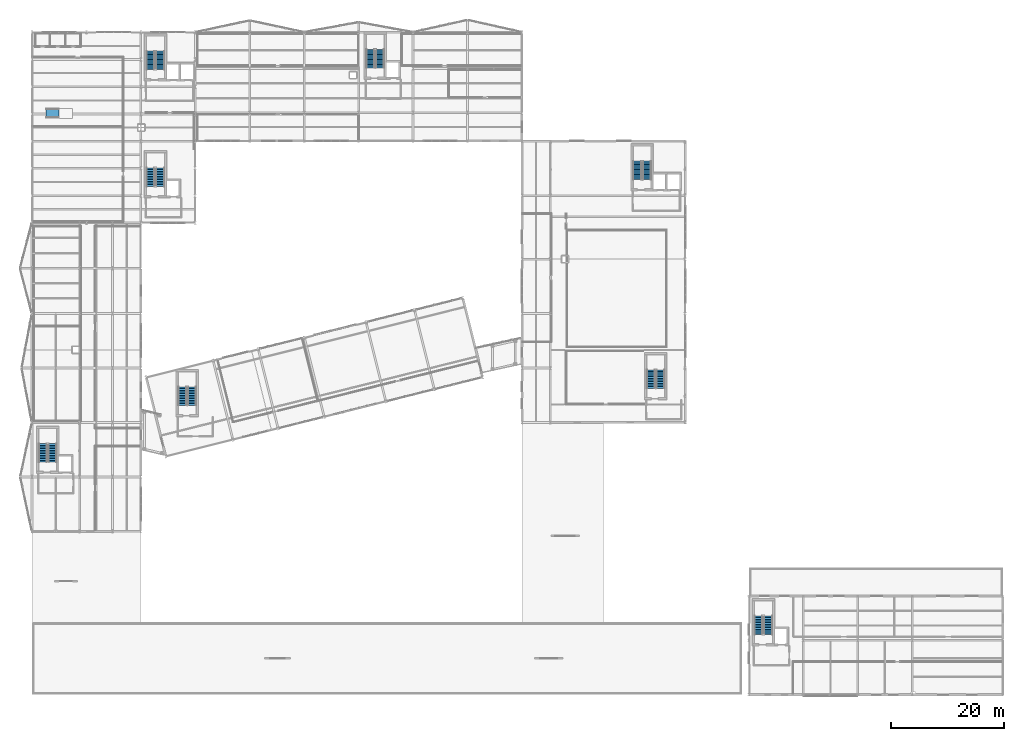
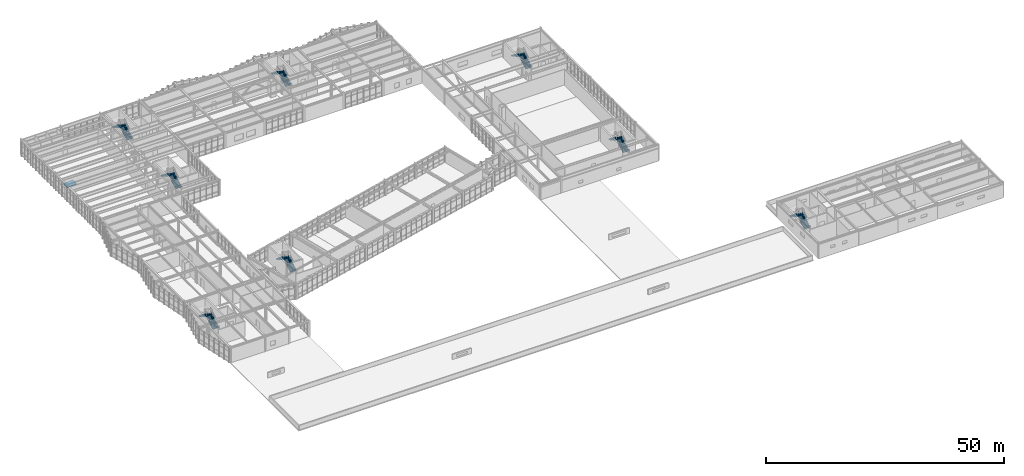
# One storey, part 79 of 88: 16 stair flights, 1 ramp flight, 9 elements without a shape of their own.
"""IFC4 building model written with IfcOpenShell, lengths in metres."""

from ifc_helpers import new_model, si_unit, direction, frame, origin, place, context, subcontext, project, spatial, polyline, outline, extrude, material, layer, layer_set, type_object, element, aggregate, save


model = new_model("IFC4")

# Units and contexts
model_context = context("Model", 3, precision=1e-05, world=origin(), true_north=direction((0.0, 1.0)))
body_context = subcontext(model_context, "Body", "Model", "MODEL_VIEW")
ifc_project = project(units=[si_unit("LENGTHUNIT", "METRE"), si_unit("AREAUNIT", "SQUARE_METRE"), si_unit("VOLUMEUNIT", "CUBIC_METRE"), si_unit("PLANEANGLEUNIT", "RADIAN"), si_unit("MASSUNIT", "GRAM", prefix="KILO")], contexts=[model_context])

# Site, building, storey
site_placement = place(None, origin())
site = spatial("IfcSite", under=ifc_project, at=site_placement, CompositionType="ELEMENT")
building_placement = place(site_placement, origin())
building = spatial("IfcBuilding", under=site, at=building_placement, Name="Nordkorset Police Headquarters", CompositionType="ELEMENT")
storey_placement = place(building_placement, frame((0.0, 0.0, 9.449951171875)))
storey = spatial("IfcBuildingStorey", under=building, at=storey_placement, Name="L02", CompositionType="ELEMENT", Elevation=9.449951171875)

# Stair, stair flights
ifc_material_1 = material(Name="Concrete C35/45", Category="concrete")
stair_type = type_object("IfcStairType", Name="ST-42", PredefinedType="HALF_TURN_STAIR", material=ifc_material_1)
stair_1_placement = place(storey_placement, origin())
stair_1 = element("IfcStair", 1, at=stair_1_placement, inside=storey, type_object=stair_type, Name="L02 Protected Escape Stair ST-01", PredefinedType="HALF_TURN_STAIR")
ifc_material_2 = material(Name="Concrete C35/45", Category="concrete")
stair_flight_type = type_object("IfcStairFlightType", Name="SF-42", PredefinedType="STRAIGHT", material=ifc_material_2)
stair_flight_1_placement = place(storey_placement, frame((22.625, 110.22509765625, 0.0), z_axis=(0.0, 0.0, 1.0), x_axis=(0.0, 1.0, 0.0)))
stair_flight_1 = element("IfcStairFlight", 2, at=stair_flight_1_placement, type_object=stair_flight_type, Name="ST-01 flight 1", NumberOfRisers=12, NumberOfTreads=11, PredefinedType="STRAIGHT", RiserHeight=0.175, TreadLength=0.295, context=body_context, shape_type="SweptSolid", body=[
    extrude(outline(polyline([(0.0, 0.0), (0.0, 0.175048828125), (0.294921875, 0.175048828125), (0.294921875, 0.35009765625), (0.590087890625, 0.35009765625), (0.590087890625, 0.52490234375), (0.885009765625, 0.52490234375), (0.885009765625, 0.699951171875), (1.179931640625, 0.699951171875), (1.179931640625, 0.875), (1.47509765625, 0.875), (1.47509765625, 1.050048828125), (1.77001953125, 1.050048828125), (1.77001953125, 1.22509765625), (2.06494140625, 1.22509765625), (2.06494140625, 1.39990234375), (2.360107421875, 1.39990234375), (2.360107421875, 1.574951171875), (2.655029296875, 1.574951171875), (2.655029296875, 1.75), (2.949951171875, 1.75), (2.949951171875, 1.925048828125), (3.2451171875, 1.925048828125), (3.2451171875, 2.10009765625), (3.2451171875, 1.739013671875), (0.3134765625, 0.0), (0.0, 0.0)])), frame((0.0, 0.75, 0.0), z_axis=(0.0, -1.0, 0.0), x_axis=(1.0, 0.0, 0.0)), (0.0, 0.0, 1.0), 1.5),
])
stair_flight_2_placement = place(storey_placement, frame((20.925048828125, 113.469970703125, 2.10009765625), z_axis=(0.0, 0.0, 1.0), x_axis=(0.0, -1.0, 0.0)))
stair_flight_2 = element("IfcStairFlight", 3, at=stair_flight_2_placement, type_object=stair_flight_type, Name="ST-01 flight 2", NumberOfRisers=12, NumberOfTreads=11, PredefinedType="STRAIGHT", RiserHeight=0.175, TreadLength=0.295, context=body_context, shape_type="SweptSolid", body=[
    extrude(outline(polyline([(0.0, 0.0), (0.0, 0.175048828125), (0.294921875, 0.175048828125), (0.294921875, 0.35009765625), (0.590087890625, 0.35009765625), (0.590087890625, 0.52490234375), (0.885009765625, 0.52490234375), (0.885009765625, 0.699951171875), (1.179931640625, 0.699951171875), (1.179931640625, 0.875), (1.47509765625, 0.875), (1.47509765625, 1.050048828125), (1.77001953125, 1.050048828125), (1.77001953125, 1.22509765625), (2.06494140625, 1.22509765625), (2.06494140625, 1.39990234375), (2.360107421875, 1.39990234375), (2.360107421875, 1.574951171875), (2.655029296875, 1.574951171875), (2.655029296875, 1.75), (2.949951171875, 1.75), (2.949951171875, 1.925048828125), (3.2451171875, 1.925048828125), (3.2451171875, 2.10009765625), (3.2451171875, 1.739013671875), (0.3134765625, 0.0), (0.0, 0.0)])), frame((0.0, 0.75, 0.0), z_axis=(0.0, -1.0, 0.0), x_axis=(1.0, 0.0, 0.0)), (0.0, 0.0, 1.0), 1.5),
])
aggregate(stair_1, [stair_flight_1, stair_flight_2])

stair_2_placement = place(storey_placement, origin())
stair_2 = element("IfcStair", 4, at=stair_2_placement, inside=storey, type_object=stair_type, Name="L02 Protected Escape Stair ST-03", PredefinedType="HALF_TURN_STAIR")
stair_flight_3_placement = place(storey_placement, frame((22.625, 89.625, 0.0), z_axis=(0.0, 0.0, 1.0), x_axis=(0.0, 1.0, 0.0)))
stair_flight_3 = element("IfcStairFlight", 5, at=stair_flight_3_placement, type_object=stair_flight_type, Name="ST-03 flight 1", NumberOfRisers=12, NumberOfTreads=11, PredefinedType="STRAIGHT", RiserHeight=0.175, TreadLength=0.295, context=body_context, shape_type="SweptSolid", body=[
    extrude(outline(polyline([(0.0, 0.0), (0.0, 0.175048828125), (0.294921875, 0.175048828125), (0.294921875, 0.35009765625), (0.590087890625, 0.35009765625), (0.590087890625, 0.52490234375), (0.885009765625, 0.52490234375), (0.885009765625, 0.699951171875), (1.179931640625, 0.699951171875), (1.179931640625, 0.875), (1.47509765625, 0.875), (1.47509765625, 1.050048828125), (1.77001953125, 1.050048828125), (1.77001953125, 1.22509765625), (2.06494140625, 1.22509765625), (2.06494140625, 1.39990234375), (2.360107421875, 1.39990234375), (2.360107421875, 1.574951171875), (2.655029296875, 1.574951171875), (2.655029296875, 1.75), (2.949951171875, 1.75), (2.949951171875, 1.925048828125), (3.2451171875, 1.925048828125), (3.2451171875, 2.10009765625), (3.2451171875, 1.739013671875), (0.3134765625, 0.0), (0.0, 0.0)])), frame((0.0, 0.75, 0.0), z_axis=(0.0, -1.0, 0.0), x_axis=(1.0, 0.0, 0.0)), (0.0, 0.0, 1.0), 1.5),
])
stair_flight_4_placement = place(storey_placement, frame((20.925048828125, 92.8701171875, 2.10009765625), z_axis=(0.0, 0.0, 1.0), x_axis=(0.0, -1.0, 0.0)))
stair_flight_4 = element("IfcStairFlight", 6, at=stair_flight_4_placement, type_object=stair_flight_type, Name="ST-03 flight 2", NumberOfRisers=12, NumberOfTreads=11, PredefinedType="STRAIGHT", RiserHeight=0.175, TreadLength=0.295, context=body_context, shape_type="SweptSolid", body=[
    extrude(outline(polyline([(0.0, 0.0), (0.0, 0.175048828125), (0.294921875, 0.175048828125), (0.294921875, 0.35009765625), (0.590087890625, 0.35009765625), (0.590087890625, 0.52490234375), (0.885009765625, 0.52490234375), (0.885009765625, 0.699951171875), (1.179931640625, 0.699951171875), (1.179931640625, 0.875), (1.47509765625, 0.875), (1.47509765625, 1.050048828125), (1.77001953125, 1.050048828125), (1.77001953125, 1.22509765625), (2.06494140625, 1.22509765625), (2.06494140625, 1.39990234375), (2.360107421875, 1.39990234375), (2.360107421875, 1.574951171875), (2.655029296875, 1.574951171875), (2.655029296875, 1.75), (2.949951171875, 1.75), (2.949951171875, 1.925048828125), (3.2451171875, 1.925048828125), (3.2451171875, 2.10009765625), (3.2451171875, 1.739013671875), (0.3134765625, 0.0), (0.0, 0.0)])), frame((0.0, 0.75, 0.0), z_axis=(0.0, -1.0, 0.0), x_axis=(1.0, 0.0, 0.0)), (0.0, 0.0, 1.0), 1.5),
])
aggregate(stair_2, [stair_flight_3, stair_flight_4])

stair_3_placement = place(storey_placement, origin())
stair_3 = element("IfcStair", 7, at=stair_3_placement, inside=storey, type_object=stair_type, Name="L02 Protected Escape Stair ST-02", PredefinedType="HALF_TURN_STAIR")
stair_flight_5_placement = place(storey_placement, frame((61.375, 110.52490234375, 0.0), z_axis=(0.0, 0.0, 1.0), x_axis=(0.0, 1.0, 0.0)))
stair_flight_5 = element("IfcStairFlight", 8, at=stair_flight_5_placement, type_object=stair_flight_type, Name="ST-02 flight 1", NumberOfRisers=12, NumberOfTreads=11, PredefinedType="STRAIGHT", RiserHeight=0.175, TreadLength=0.295, context=body_context, shape_type="SweptSolid", body=[
    extrude(outline(polyline([(0.0, 0.0), (0.0, 0.175048828125), (0.294921875, 0.175048828125), (0.294921875, 0.35009765625), (0.590087890625, 0.35009765625), (0.590087890625, 0.52490234375), (0.885009765625, 0.52490234375), (0.885009765625, 0.699951171875), (1.179931640625, 0.699951171875), (1.179931640625, 0.875), (1.47509765625, 0.875), (1.47509765625, 1.050048828125), (1.77001953125, 1.050048828125), (1.77001953125, 1.22509765625), (2.06494140625, 1.22509765625), (2.06494140625, 1.39990234375), (2.360107421875, 1.39990234375), (2.360107421875, 1.574951171875), (2.655029296875, 1.574951171875), (2.655029296875, 1.75), (2.949951171875, 1.75), (2.949951171875, 1.925048828125), (3.2451171875, 1.925048828125), (3.2451171875, 2.10009765625), (3.2451171875, 1.739013671875), (0.3134765625, 0.0), (0.0, 0.0)])), frame((0.0, 0.75, 0.0), z_axis=(0.0, -1.0, 0.0), x_axis=(1.0, 0.0, 0.0)), (0.0, 0.0, 1.0), 1.5),
])
stair_flight_6_placement = place(storey_placement, frame((59.675048828125, 113.77001953125, 2.10009765625), z_axis=(0.0, 0.0, 1.0), x_axis=(0.0, -1.0, 0.0)))
stair_flight_6 = element("IfcStairFlight", 9, at=stair_flight_6_placement, type_object=stair_flight_type, Name="ST-02 flight 2", NumberOfRisers=12, NumberOfTreads=11, PredefinedType="STRAIGHT", RiserHeight=0.175, TreadLength=0.295, context=body_context, shape_type="SweptSolid", body=[
    extrude(outline(polyline([(0.0, 0.0), (0.0, 0.175048828125), (0.294921875, 0.175048828125), (0.294921875, 0.35009765625), (0.590087890625, 0.35009765625), (0.590087890625, 0.52490234375), (0.885009765625, 0.52490234375), (0.885009765625, 0.699951171875), (1.179931640625, 0.699951171875), (1.179931640625, 0.875), (1.47509765625, 0.875), (1.47509765625, 1.050048828125), (1.77001953125, 1.050048828125), (1.77001953125, 1.22509765625), (2.06494140625, 1.22509765625), (2.06494140625, 1.39990234375), (2.360107421875, 1.39990234375), (2.360107421875, 1.574951171875), (2.655029296875, 1.574951171875), (2.655029296875, 1.75), (2.949951171875, 1.75), (2.949951171875, 1.925048828125), (3.2451171875, 1.925048828125), (3.2451171875, 2.10009765625), (3.2451171875, 1.739013671875), (0.3134765625, 0.0), (0.0, 0.0)])), frame((0.0, 0.75, 0.0), z_axis=(0.0, -1.0, 0.0), x_axis=(1.0, 0.0, 0.0)), (0.0, 0.0, 1.0), 1.5),
])
aggregate(stair_3, [stair_flight_5, stair_flight_6])

stair_4_placement = place(storey_placement, origin())
stair_4 = element("IfcStair", 10, at=stair_4_placement, inside=storey, type_object=stair_type, Name="L02 Protected Escape Stair ST-04", PredefinedType="HALF_TURN_STAIR")
stair_flight_7_placement = place(storey_placement, frame((3.625, 41.02490234375, 0.0), z_axis=(0.0, 0.0, 1.0), x_axis=(0.0, 1.0, 0.0)))
stair_flight_7 = element("IfcStairFlight", 11, at=stair_flight_7_placement, type_object=stair_flight_type, Name="ST-04 flight 1", NumberOfRisers=12, NumberOfTreads=11, PredefinedType="STRAIGHT", RiserHeight=0.175, TreadLength=0.295, context=body_context, shape_type="SweptSolid", body=[
    extrude(outline(polyline([(0.0, 0.0), (0.0, 0.175048828125), (0.294921875, 0.175048828125), (0.294921875, 0.35009765625), (0.590087890625, 0.35009765625), (0.590087890625, 0.52490234375), (0.885009765625, 0.52490234375), (0.885009765625, 0.699951171875), (1.179931640625, 0.699951171875), (1.179931640625, 0.875), (1.47509765625, 0.875), (1.47509765625, 1.050048828125), (1.77001953125, 1.050048828125), (1.77001953125, 1.22509765625), (2.06494140625, 1.22509765625), (2.06494140625, 1.39990234375), (2.360107421875, 1.39990234375), (2.360107421875, 1.574951171875), (2.655029296875, 1.574951171875), (2.655029296875, 1.75), (2.949951171875, 1.75), (2.949951171875, 1.925048828125), (3.2451171875, 1.925048828125), (3.2451171875, 2.10009765625), (3.2451171875, 1.739013671875), (0.3134765625, 0.0), (0.0, 0.0)])), frame((0.0, 0.75, 0.0), z_axis=(0.0, -1.0, 0.0), x_axis=(1.0, 0.0, 0.0)), (0.0, 0.0, 1.0), 1.5),
])
stair_flight_8_placement = place(storey_placement, frame((1.925048828125, 44.27001953125, 2.10009765625), z_axis=(0.0, 0.0, 1.0), x_axis=(0.0, -1.0, 0.0)))
stair_flight_8 = element("IfcStairFlight", 12, at=stair_flight_8_placement, type_object=stair_flight_type, Name="ST-04 flight 2", NumberOfRisers=12, NumberOfTreads=11, PredefinedType="STRAIGHT", RiserHeight=0.175, TreadLength=0.295, context=body_context, shape_type="SweptSolid", body=[
    extrude(outline(polyline([(0.0, 0.0), (0.0, 0.175048828125), (0.294921875, 0.175048828125), (0.294921875, 0.35009765625), (0.590087890625, 0.35009765625), (0.590087890625, 0.52490234375), (0.885009765625, 0.52490234375), (0.885009765625, 0.699951171875), (1.179931640625, 0.699951171875), (1.179931640625, 0.875), (1.47509765625, 0.875), (1.47509765625, 1.050048828125), (1.77001953125, 1.050048828125), (1.77001953125, 1.22509765625), (2.06494140625, 1.22509765625), (2.06494140625, 1.39990234375), (2.360107421875, 1.39990234375), (2.360107421875, 1.574951171875), (2.655029296875, 1.574951171875), (2.655029296875, 1.75), (2.949951171875, 1.75), (2.949951171875, 1.925048828125), (3.2451171875, 1.925048828125), (3.2451171875, 2.10009765625), (3.2451171875, 1.739013671875), (0.3134765625, 0.0), (0.0, 0.0)])), frame((0.0, 0.75, 0.0), z_axis=(0.0, -1.0, 0.0), x_axis=(1.0, 0.0, 0.0)), (0.0, 0.0, 1.0), 1.5),
])
aggregate(stair_4, [stair_flight_7, stair_flight_8])

stair_5_placement = place(storey_placement, origin())
stair_5 = element("IfcStair", 13, at=stair_5_placement, inside=storey, type_object=stair_type, Name="L02 Protected Escape Stair ST-05", PredefinedType="HALF_TURN_STAIR")
stair_flight_9_placement = place(storey_placement, frame((108.425048828125, 90.824951171875, 0.0), z_axis=(0.0, 0.0, 1.0), x_axis=(0.0, 1.0, 0.0)))
stair_flight_9 = element("IfcStairFlight", 14, at=stair_flight_9_placement, type_object=stair_flight_type, Name="ST-05 flight 1", NumberOfRisers=12, NumberOfTreads=11, PredefinedType="STRAIGHT", RiserHeight=0.175, TreadLength=0.295, context=body_context, shape_type="SweptSolid", body=[
    extrude(outline(polyline([(0.0, 0.0), (0.0, 0.175048828125), (0.294921875, 0.175048828125), (0.294921875, 0.35009765625), (0.590087890625, 0.35009765625), (0.590087890625, 0.52490234375), (0.885009765625, 0.52490234375), (0.885009765625, 0.699951171875), (1.179931640625, 0.699951171875), (1.179931640625, 0.875), (1.47509765625, 0.875), (1.47509765625, 1.050048828125), (1.77001953125, 1.050048828125), (1.77001953125, 1.22509765625), (2.06494140625, 1.22509765625), (2.06494140625, 1.39990234375), (2.360107421875, 1.39990234375), (2.360107421875, 1.574951171875), (2.655029296875, 1.574951171875), (2.655029296875, 1.75), (2.949951171875, 1.75), (2.949951171875, 1.925048828125), (3.2451171875, 1.925048828125), (3.2451171875, 2.10009765625), (3.2451171875, 1.739013671875), (0.3134765625, 0.0), (0.0, 0.0)])), frame((0.0, 0.75, 0.0), z_axis=(0.0, -1.0, 0.0), x_axis=(1.0, 0.0, 0.0)), (0.0, 0.0, 1.0), 1.5),
])
stair_flight_10_placement = place(storey_placement, frame((106.72509765625, 94.070068359375, 2.10009765625), z_axis=(0.0, 0.0, 1.0), x_axis=(0.0, -1.0, 0.0)))
stair_flight_10 = element("IfcStairFlight", 15, at=stair_flight_10_placement, type_object=stair_flight_type, Name="ST-05 flight 2", NumberOfRisers=12, NumberOfTreads=11, PredefinedType="STRAIGHT", RiserHeight=0.175, TreadLength=0.295, context=body_context, shape_type="SweptSolid", body=[
    extrude(outline(polyline([(0.0, 0.0), (0.0, 0.175048828125), (0.294921875, 0.175048828125), (0.294921875, 0.35009765625), (0.590087890625, 0.35009765625), (0.590087890625, 0.52490234375), (0.885009765625, 0.52490234375), (0.885009765625, 0.699951171875), (1.179931640625, 0.699951171875), (1.179931640625, 0.875), (1.47509765625, 0.875), (1.47509765625, 1.050048828125), (1.77001953125, 1.050048828125), (1.77001953125, 1.22509765625), (2.06494140625, 1.22509765625), (2.06494140625, 1.39990234375), (2.360107421875, 1.39990234375), (2.360107421875, 1.574951171875), (2.655029296875, 1.574951171875), (2.655029296875, 1.75), (2.949951171875, 1.75), (2.949951171875, 1.925048828125), (3.2451171875, 1.925048828125), (3.2451171875, 2.10009765625), (3.2451171875, 1.739013671875), (0.3134765625, 0.0), (0.0, 0.0)])), frame((0.0, 0.75, 0.0), z_axis=(0.0, -1.0, 0.0), x_axis=(1.0, 0.0, 0.0)), (0.0, 0.0, 1.0), 1.5),
])
aggregate(stair_5, [stair_flight_9, stair_flight_10])

stair_6_placement = place(storey_placement, origin())
stair_6 = element("IfcStair", 16, at=stair_6_placement, inside=storey, type_object=stair_type, Name="L02 Protected Escape Stair ST-06", PredefinedType="HALF_TURN_STAIR")
stair_flight_11_placement = place(storey_placement, frame((129.824951171875, 10.625, 0.0), z_axis=(0.0, 0.0, 1.0), x_axis=(0.0, 1.0, 0.0)))
stair_flight_11 = element("IfcStairFlight", 17, at=stair_flight_11_placement, type_object=stair_flight_type, Name="ST-06 flight 1", NumberOfRisers=12, NumberOfTreads=11, PredefinedType="STRAIGHT", RiserHeight=0.175, TreadLength=0.295, context=body_context, shape_type="SweptSolid", body=[
    extrude(outline(polyline([(0.0, 0.0), (0.0, 0.175048828125), (0.294921875, 0.175048828125), (0.294921875, 0.35009765625), (0.590087890625, 0.35009765625), (0.590087890625, 0.52490234375), (0.885009765625, 0.52490234375), (0.885009765625, 0.699951171875), (1.179931640625, 0.699951171875), (1.179931640625, 0.875), (1.47509765625, 0.875), (1.47509765625, 1.050048828125), (1.77001953125, 1.050048828125), (1.77001953125, 1.22509765625), (2.06494140625, 1.22509765625), (2.06494140625, 1.39990234375), (2.360107421875, 1.39990234375), (2.360107421875, 1.574951171875), (2.655029296875, 1.574951171875), (2.655029296875, 1.75), (2.949951171875, 1.75), (2.949951171875, 1.925048828125), (3.2451171875, 1.925048828125), (3.2451171875, 2.10009765625), (3.2451171875, 1.739013671875), (0.3134765625, 0.0), (0.0, 0.0)])), frame((0.0, 0.75, 0.0), z_axis=(0.0, -1.0, 0.0), x_axis=(1.0, 0.0, 0.0)), (0.0, 0.0, 1.0), 1.5),
])
stair_flight_12_placement = place(storey_placement, frame((128.125, 13.8701171875, 2.10009765625), z_axis=(0.0, 0.0, 1.0), x_axis=(0.0, -1.0, 0.0)))
stair_flight_12 = element("IfcStairFlight", 18, at=stair_flight_12_placement, type_object=stair_flight_type, Name="ST-06 flight 2", NumberOfRisers=12, NumberOfTreads=11, PredefinedType="STRAIGHT", RiserHeight=0.175, TreadLength=0.295, context=body_context, shape_type="SweptSolid", body=[
    extrude(outline(polyline([(0.0, 0.0), (0.0, 0.175048828125), (0.294921875, 0.175048828125), (0.294921875, 0.35009765625), (0.590087890625, 0.35009765625), (0.590087890625, 0.52490234375), (0.885009765625, 0.52490234375), (0.885009765625, 0.699951171875), (1.179931640625, 0.699951171875), (1.179931640625, 0.875), (1.47509765625, 0.875), (1.47509765625, 1.050048828125), (1.77001953125, 1.050048828125), (1.77001953125, 1.22509765625), (2.06494140625, 1.22509765625), (2.06494140625, 1.39990234375), (2.360107421875, 1.39990234375), (2.360107421875, 1.574951171875), (2.655029296875, 1.574951171875), (2.655029296875, 1.75), (2.949951171875, 1.75), (2.949951171875, 1.925048828125), (3.2451171875, 1.925048828125), (3.2451171875, 2.10009765625), (3.2451171875, 1.739013671875), (0.3134765625, 0.0), (0.0, 0.0)])), frame((0.0, 0.75, 0.0), z_axis=(0.0, -1.0, 0.0), x_axis=(1.0, 0.0, 0.0)), (0.0, 0.0, 1.0), 1.5),
])
aggregate(stair_6, [stair_flight_11, stair_flight_12])

stair_7_placement = place(storey_placement, origin())
stair_7 = element("IfcStair", 19, at=stair_7_placement, inside=storey, type_object=stair_type, Name="L02 Protected Escape Stair ST-08", PredefinedType="HALF_TURN_STAIR")
stair_flight_13_placement = place(storey_placement, frame((28.22509765625, 51.02490234375, 0.0), z_axis=(0.0, 0.0, 1.0), x_axis=(0.0, 1.0, 0.0)))
stair_flight_13 = element("IfcStairFlight", 20, at=stair_flight_13_placement, type_object=stair_flight_type, Name="ST-08 flight 1", NumberOfRisers=12, NumberOfTreads=11, PredefinedType="STRAIGHT", RiserHeight=0.175, TreadLength=0.295, context=body_context, shape_type="SweptSolid", body=[
    extrude(outline(polyline([(0.0, 0.0), (0.0, 0.175048828125), (0.294921875, 0.175048828125), (0.294921875, 0.35009765625), (0.590087890625, 0.35009765625), (0.590087890625, 0.52490234375), (0.885009765625, 0.52490234375), (0.885009765625, 0.699951171875), (1.179931640625, 0.699951171875), (1.179931640625, 0.875), (1.47509765625, 0.875), (1.47509765625, 1.050048828125), (1.77001953125, 1.050048828125), (1.77001953125, 1.22509765625), (2.06494140625, 1.22509765625), (2.06494140625, 1.39990234375), (2.360107421875, 1.39990234375), (2.360107421875, 1.574951171875), (2.655029296875, 1.574951171875), (2.655029296875, 1.75), (2.949951171875, 1.75), (2.949951171875, 1.925048828125), (3.2451171875, 1.925048828125), (3.2451171875, 2.10009765625), (3.2451171875, 1.739013671875), (0.3134765625, 0.0), (0.0, 0.0)])), frame((0.0, 0.75, 0.0), z_axis=(0.0, -1.0, 0.0), x_axis=(1.0, 0.0, 0.0)), (0.0, 0.0, 1.0), 1.5),
])
stair_flight_14_placement = place(storey_placement, frame((26.52490234375, 54.27001953125, 2.10009765625), z_axis=(0.0, 0.0, 1.0), x_axis=(0.0, -1.0, 0.0)))
stair_flight_14 = element("IfcStairFlight", 21, at=stair_flight_14_placement, type_object=stair_flight_type, Name="ST-08 flight 2", NumberOfRisers=12, NumberOfTreads=11, PredefinedType="STRAIGHT", RiserHeight=0.175, TreadLength=0.295, context=body_context, shape_type="SweptSolid", body=[
    extrude(outline(polyline([(0.0, 0.0), (0.0, 0.175048828125), (0.294921875, 0.175048828125), (0.294921875, 0.35009765625), (0.590087890625, 0.35009765625), (0.590087890625, 0.52490234375), (0.885009765625, 0.52490234375), (0.885009765625, 0.699951171875), (1.179931640625, 0.699951171875), (1.179931640625, 0.875), (1.47509765625, 0.875), (1.47509765625, 1.050048828125), (1.77001953125, 1.050048828125), (1.77001953125, 1.22509765625), (2.06494140625, 1.22509765625), (2.06494140625, 1.39990234375), (2.360107421875, 1.39990234375), (2.360107421875, 1.574951171875), (2.655029296875, 1.574951171875), (2.655029296875, 1.75), (2.949951171875, 1.75), (2.949951171875, 1.925048828125), (3.2451171875, 1.925048828125), (3.2451171875, 2.10009765625), (3.2451171875, 1.739013671875), (0.3134765625, 0.0), (0.0, 0.0)])), frame((0.0, 0.75, 0.0), z_axis=(0.0, -1.0, 0.0), x_axis=(1.0, 0.0, 0.0)), (0.0, 0.0, 1.0), 1.5),
])
aggregate(stair_7, [stair_flight_13, stair_flight_14])

stair_8_placement = place(storey_placement, origin())
stair_8 = element("IfcStair", 22, at=stair_8_placement, inside=storey, type_object=stair_type, Name="L02 Protected Escape Stair ST-09", PredefinedType="HALF_TURN_STAIR")
stair_flight_15_placement = place(storey_placement, frame((110.824951171875, 54.02490234375, 0.0), z_axis=(0.0, 0.0, 1.0), x_axis=(0.0, 1.0, 0.0)))
stair_flight_15 = element("IfcStairFlight", 23, at=stair_flight_15_placement, type_object=stair_flight_type, Name="ST-09 flight 1", NumberOfRisers=12, NumberOfTreads=11, PredefinedType="STRAIGHT", RiserHeight=0.175, TreadLength=0.295, context=body_context, shape_type="SweptSolid", body=[
    extrude(outline(polyline([(0.0, 0.0), (0.0, 0.175048828125), (0.294921875, 0.175048828125), (0.294921875, 0.35009765625), (0.590087890625, 0.35009765625), (0.590087890625, 0.52490234375), (0.885009765625, 0.52490234375), (0.885009765625, 0.699951171875), (1.179931640625, 0.699951171875), (1.179931640625, 0.875), (1.47509765625, 0.875), (1.47509765625, 1.050048828125), (1.77001953125, 1.050048828125), (1.77001953125, 1.22509765625), (2.06494140625, 1.22509765625), (2.06494140625, 1.39990234375), (2.360107421875, 1.39990234375), (2.360107421875, 1.574951171875), (2.655029296875, 1.574951171875), (2.655029296875, 1.75), (2.949951171875, 1.75), (2.949951171875, 1.925048828125), (3.2451171875, 1.925048828125), (3.2451171875, 2.10009765625), (3.2451171875, 1.739013671875), (0.3134765625, 0.0), (0.0, 0.0)])), frame((0.0, 0.75, 0.0), z_axis=(0.0, -1.0, 0.0), x_axis=(1.0, 0.0, 0.0)), (0.0, 0.0, 1.0), 1.5),
])
stair_flight_16_placement = place(storey_placement, frame((109.125, 57.27001953125, 2.10009765625), z_axis=(0.0, 0.0, 1.0), x_axis=(0.0, -1.0, 0.0)))
stair_flight_16 = element("IfcStairFlight", 24, at=stair_flight_16_placement, type_object=stair_flight_type, Name="ST-09 flight 2", NumberOfRisers=12, NumberOfTreads=11, PredefinedType="STRAIGHT", RiserHeight=0.175, TreadLength=0.295, context=body_context, shape_type="SweptSolid", body=[
    extrude(outline(polyline([(0.0, 0.0), (0.0, 0.175048828125), (0.294921875, 0.175048828125), (0.294921875, 0.35009765625), (0.590087890625, 0.35009765625), (0.590087890625, 0.52490234375), (0.885009765625, 0.52490234375), (0.885009765625, 0.699951171875), (1.179931640625, 0.699951171875), (1.179931640625, 0.875), (1.47509765625, 0.875), (1.47509765625, 1.050048828125), (1.77001953125, 1.050048828125), (1.77001953125, 1.22509765625), (2.06494140625, 1.22509765625), (2.06494140625, 1.39990234375), (2.360107421875, 1.39990234375), (2.360107421875, 1.574951171875), (2.655029296875, 1.574951171875), (2.655029296875, 1.75), (2.949951171875, 1.75), (2.949951171875, 1.925048828125), (3.2451171875, 1.925048828125), (3.2451171875, 2.10009765625), (3.2451171875, 1.739013671875), (0.3134765625, 0.0), (0.0, 0.0)])), frame((0.0, 0.75, 0.0), z_axis=(0.0, -1.0, 0.0), x_axis=(1.0, 0.0, 0.0)), (0.0, 0.0, 1.0), 1.5),
])
aggregate(stair_8, [stair_flight_15, stair_flight_16])

# Ramp, ramp flight
ifc_material_3 = material(Name="Concrete C35/45", Category="concrete")
ramp_type = type_object("IfcRampType", Name="Ramp_Access_1600", PredefinedType="STRAIGHT_RUN_RAMP", material=ifc_material_3)
ramp_placement = place(storey_placement, origin())
ramp = element("IfcRamp", 25, at=ramp_placement, inside=storey, type_object=ramp_type, Name="Taskforce Briefing Dais Ramp", PredefinedType="STRAIGHT_RUN_RAMP")
ifc_material_4 = material(Name="Concrete C35/45", Category="concrete")
ifc_layer = layer(ifc_material_4, 0.219970703125, Name="Concrete C35/45")
ifc_layer_set = layer_set([ifc_layer], Name="Concrete C35/45")
ramp_flight_type = type_object("IfcRampFlightType", Name="RampFlight_Access_1600", PredefinedType="STRAIGHT", material=ifc_layer_set)
ramp_flight_placement = place(storey_placement, frame((2.5, 102.5, 0.0), z_axis=(0.0, 0.0, 1.0), x_axis=(1.0, 0.0, 0.0)))
ramp_flight = element("IfcRampFlight", 26, at=ramp_flight_placement, type_object=ramp_flight_type, Name="Taskforce Briefing Dais Ramp Flight", PredefinedType="STRAIGHT", context=body_context, shape_type="SweptSolid", body=[
    extrude(outline(polyline([(0.0, 0.0), (2.239990234375, 0.139892578125), (2.239990234375, -0.080078125), (0.0, -0.219970703125), (0.0, 0.0)])), frame((0.0, 0.800048828125, 0.0), z_axis=(0.0, -1.0, 0.0), x_axis=(1.0, 0.0, 0.0)), (0.0, 0.0, 1.0), 1.60009765625),
])
aggregate(ramp, [ramp_flight])

save(model, "model.ifc")
